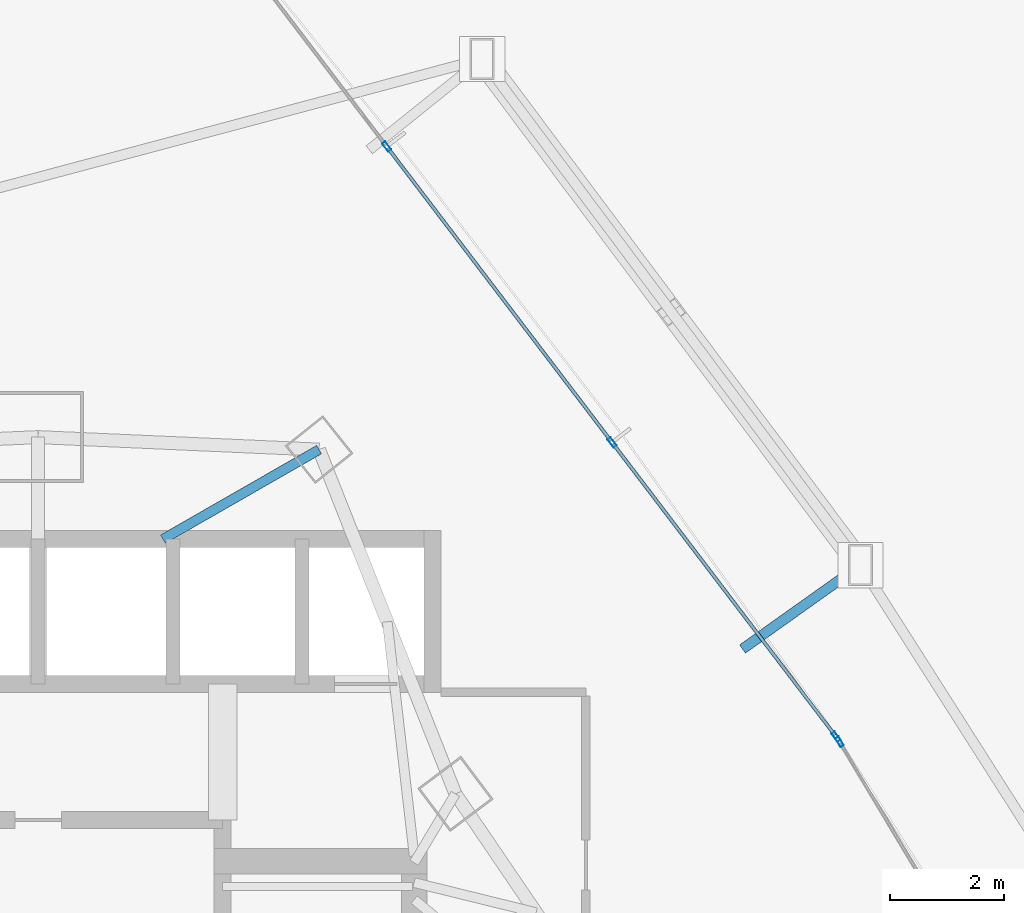
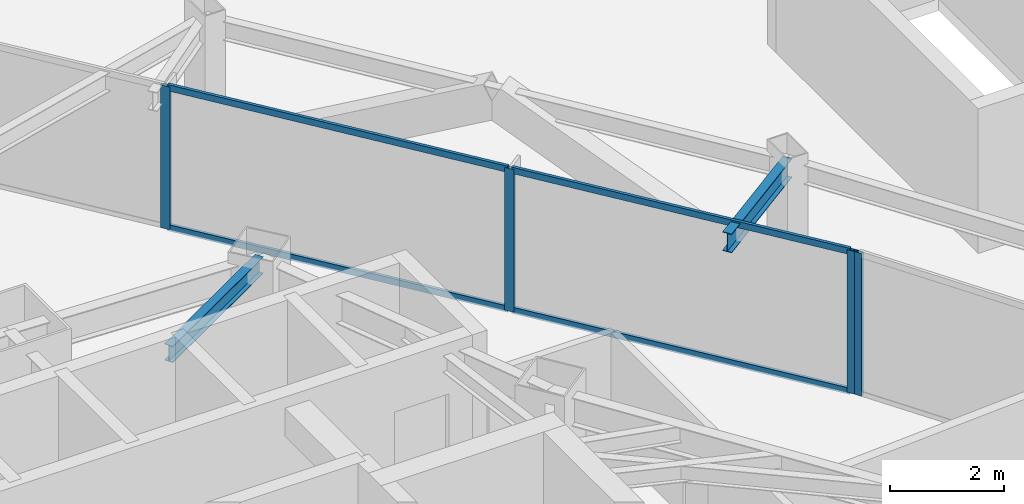
# One storey, part 26 of 36: 8 members, 2 beams, 2 elements without a shape of their own.
"""IFC4 building model written with IfcOpenShell, lengths in metres."""

from ifc_helpers import new_model, si_unit, direction, frame, origin, origin_2d, place, context, subcontext, project, spatial, hollow_rectangle, i_section, extrude, material, layer, layer_set, material_profile, profile_set, type_object, element, aggregate, save


model = new_model("IFC4")

# Units and contexts
model_context = context("Model", 3, precision=1e-05, world=origin(), true_north=direction((0.0, 1.0)))
body_context = subcontext(model_context, "Body", "Model", "MODEL_VIEW")
ifc_project = project(units=[si_unit("LENGTHUNIT", "METRE"), si_unit("AREAUNIT", "SQUARE_METRE"), si_unit("VOLUMEUNIT", "CUBIC_METRE"), si_unit("PLANEANGLEUNIT", "RADIAN"), si_unit("MASSUNIT", "GRAM", prefix="KILO")], contexts=[model_context])

# Site, building, storey
site_placement = place(None, origin())
site = spatial("IfcSite", under=ifc_project, at=site_placement, CompositionType="ELEMENT")
building_placement = place(site_placement, origin())
building = spatial("IfcBuilding", under=site, at=building_placement, Name="Orvanel Arch Residences", CompositionType="ELEMENT")
storey_placement = place(building_placement, frame((0.0, 0.0, 23.60009765625)))
storey = spatial("IfcBuildingStorey", under=building, at=storey_placement, Name="L05", CompositionType="ELEMENT", Elevation=23.60009765625)

# Beam
ifc_material_1 = material(Name="Structural steel AS/NZS 3679.1 Grade 300 (300 MPa)", Category="steel")
ifc_material_profile_1 = material_profile(ifc_material_1, i_section(OverallWidth=0.1708984375, OverallDepth=0.35595703125, WebThickness=0.00732421875, FlangeThickness=0.011474609375, at=origin_2d()), Name="360UB50.7")
ifc_profile_set_1 = profile_set([ifc_material_profile_1], Name="Structural steel AS/NZS 3679.1 Grade 300 (300 MPa)")
beam_type_1 = type_object("IfcBeamType", Name="BJ-360UB", PredefinedType="JOIST", material=ifc_profile_set_1)
beam_1_placement = place(storey_placement, frame((35.199951171875, 39.60009765625, 2.8818359375), z_axis=(0.86736513383, 0.497672306458, 0.0), x_axis=(-0.497672306458, 0.86736513383, 0.0)))
element("IfcBeam", 1, at=beam_1_placement, inside=storey, type_object=beam_type_1, Name="L05 MNE Wing Floor Joist", PredefinedType="JOIST", context=body_context, shape_type="SweptSolid", body=[
    extrude(i_section(OverallWidth=0.1708984375, OverallDepth=0.35595703125, WebThickness=0.00732421875, FlangeThickness=0.011474609375, at=origin_2d()), origin(), (0.0, 0.0, 1.0), 3.17041015625),
])

# Curtain wall, member
ifc_material_2 = material(Name="Bronze-anodised aluminium AA6063-T6", Category="aluminium")
ifc_layer = layer(ifc_material_2, 0.179931640625)
ifc_layer_set = layer_set([ifc_layer], Name="Bronze-anodised aluminium AA6063-T6")
curtain_wall_type = type_object("IfcCurtainWallType", Name="CW2-LOW-SYS", PredefinedType="NOTDEFINED", material=ifc_layer_set)
curtain_wall_1_placement = place(storey_placement, origin())
curtain_wall_1 = element("IfcCurtainWall", 2, at=curtain_wall_1_placement, inside=storey, type_object=curtain_wall_type, Name="L05 CW2-LOW-SYS Unitised Curtain Wall", PredefinedType="NOTDEFINED")
ifc_material_profile_2 = material_profile(ifc_material_2, hollow_rectangle(XDim=0.070068359375, YDim=0.179931640625, WallThickness=0.00439453125, at=origin_2d()), Name="ALU180x70x4.5")
ifc_profile_set_2 = profile_set([ifc_material_profile_2], Name="Bronze-anodised aluminium AA6063-T6")
member_type_1 = type_object("IfcMemberType", Name="MUL-180x70", PredefinedType="MULLION", material=ifc_profile_set_2)
member_1_placement = place(storey_placement, frame((47.12109375, 36.029052734375, 0.0), z_axis=(0.0, 0.0, 1.0), x_axis=(-0.857540386644, -0.514416645603, 0.0)))
member_1 = element("IfcMember", 3, at=member_1_placement, type_object=member_type_1, Name="CW-S2 mullion 3", PredefinedType="MULLION", context=body_context, shape_type="SweptSolid", body=[
    extrude(hollow_rectangle(XDim=0.070068359375, YDim=0.179931640625, WallThickness=0.00439453125, at=origin_2d()), origin(), (0.0, 0.0, 1.0), 3.059814453125),
])
aggregate(curtain_wall_1, [member_1])

# Curtain wall, members
curtain_wall_2_placement = place(storey_placement, origin())
curtain_wall_2 = element("IfcCurtainWall", 4, at=curtain_wall_2_placement, inside=storey, type_object=curtain_wall_type, Name="L05 CW2-LOW-SYS Unitised Curtain Wall", PredefinedType="NOTDEFINED")
member_2_placement = place(storey_placement, frame((47.059814453125, 36.119873046875, 0.0), z_axis=(0.0, 0.0, 1.0), x_axis=(-0.795608016507, -0.605811756299, 0.0)))
member_2 = element("IfcMember", 5, at=member_2_placement, type_object=member_type_1, Name="CW-S2 mullion 1", PredefinedType="MULLION", context=body_context, shape_type="SweptSolid", body=[
    extrude(hollow_rectangle(XDim=0.070068359375, YDim=0.179931640625, WallThickness=0.00439453125, at=origin_2d()), origin(), (0.0, 0.0, 1.0), 3.059814453125),
])
member_3_placement = place(storey_placement, frame((43.111328125, 41.305419921875, 0.0), z_axis=(0.0, 0.0, 1.0), x_axis=(-0.795608016507, -0.605811756299, 0.0)))
member_3 = element("IfcMember", 6, at=member_3_placement, type_object=member_type_1, Name="CW-S2 mullion 2", PredefinedType="MULLION", context=body_context, shape_type="SweptSolid", body=[
    extrude(hollow_rectangle(XDim=0.070068359375, YDim=0.179931640625, WallThickness=0.00439453125, at=origin_2d()), origin(), (0.0, 0.0, 1.0), 3.059814453125),
])
member_4_placement = place(storey_placement, frame((39.1416015625, 46.5185546875, 0.0), z_axis=(0.0, 0.0, 1.0), x_axis=(-0.795608016507, -0.605811756299, 0.0)))
member_4 = element("IfcMember", 7, at=member_4_placement, type_object=member_type_1, Name="CW-S2 mullion 3", PredefinedType="MULLION", context=body_context, shape_type="SweptSolid", body=[
    extrude(hollow_rectangle(XDim=0.070068359375, YDim=0.179931640625, WallThickness=0.00439453125, at=origin_2d()), origin(), (0.0, 0.0, 1.0), 3.059814453125),
])

# Beam
ifc_material_profile_3 = material_profile(ifc_material_1, i_section(OverallWidth=0.177978515625, OverallDepth=0.406005859375, WebThickness=0.0078125, FlangeThickness=0.0126953125, at=origin_2d()), Name="410UB59.7")
ifc_profile_set_3 = profile_set([ifc_material_profile_3], Name="Structural steel AS/NZS 3679.1 Grade 300 (300 MPa)")
beam_type_2 = type_object("IfcBeamType", Name="OB-410UB-EXT", PredefinedType="SPANDREL", material=ifc_profile_set_3)
beam_2_placement = place(storey_placement, frame((45.410888671875, 37.6650390625, 2.85693359375), z_axis=(0.81490910219, 0.579588781092, 0.0), x_axis=(-0.579588781092, 0.81490910219, 0.0)))
element("IfcBeam", 8, at=beam_2_placement, inside=storey, type_object=beam_type_2, Name="L05 Outer Frame Radial Tie Beam 11", PredefinedType="SPANDREL", context=body_context, shape_type="SweptSolid", body=[
    extrude(i_section(OverallWidth=0.177978515625, OverallDepth=0.406005859375, WebThickness=0.0078125, FlangeThickness=0.0126953125, at=origin_2d()), origin(), (0.0, 0.0, 1.0), 2.550048828125),
])

# Member
ifc_material_profile_4 = material_profile(ifc_material_2, hollow_rectangle(XDim=0.06005859375, YDim=0.135009765625, WallThickness=0.00390625, at=origin_2d()), Name="ALU135x60x4")
ifc_profile_set_4 = profile_set([ifc_material_profile_4], Name="Bronze-anodised aluminium AA6063-T6")
member_type_2 = type_object("IfcMemberType", Name="TRN-135x60", PredefinedType="USERDEFINED", material=ifc_profile_set_4)
member_5_placement = place(storey_placement, frame((47.03857421875, 36.147705078125, 0.02978515625), z_axis=(-0.605800188991, 0.795616824243, 0.0), x_axis=(-0.795616824243, -0.605800188991, 0.0)))
member_5 = element("IfcMember", 9, at=member_5_placement, type_object=member_type_2, Name="CW-S2 transom 1.1", ObjectType="TRANSOM", PredefinedType="USERDEFINED", context=body_context, shape_type="SweptSolid", body=[
    extrude(hollow_rectangle(XDim=0.06005859375, YDim=0.135009765625, WallThickness=0.00390625, at=origin_2d()), origin(), (0.0, 0.0, 1.0), 6.44775390625),
])

member_6_placement = place(storey_placement, frame((47.03857421875, 36.147705078125, 3.02978515625), z_axis=(-0.605800188991, 0.795616824243, 0.0), x_axis=(-0.795616824243, -0.605800188991, 0.0)))
member_6 = element("IfcMember", 10, at=member_6_placement, type_object=member_type_2, Name="CW-S2 transom 1.2", ObjectType="TRANSOM", PredefinedType="USERDEFINED", context=body_context, shape_type="SweptSolid", body=[
    extrude(hollow_rectangle(XDim=0.06005859375, YDim=0.135009765625, WallThickness=0.00390625, at=origin_2d()), origin(), (0.0, 0.0, 1.0), 6.44775390625),
])

member_7_placement = place(storey_placement, frame((43.090087890625, 41.333251953125, 0.02978515625), z_axis=(-0.605823058634, 0.795599410273, 0.0), x_axis=(-0.795599410273, -0.605823058634, 0.0)))
member_7 = element("IfcMember", 11, at=member_7_placement, type_object=member_type_2, Name="CW-S2 transom 2.1", ObjectType="TRANSOM", PredefinedType="USERDEFINED", context=body_context, shape_type="SweptSolid", body=[
    extrude(hollow_rectangle(XDim=0.06005859375, YDim=0.135009765625, WallThickness=0.00390625, at=origin_2d()), origin(), (0.0, 0.0, 1.0), 6.482421875),
])

member_8_placement = place(storey_placement, frame((43.090087890625, 41.333251953125, 3.02978515625), z_axis=(-0.605823058634, 0.795599410273, 0.0), x_axis=(-0.795599410273, -0.605823058634, 0.0)))
member_8 = element("IfcMember", 12, at=member_8_placement, type_object=member_type_2, Name="CW-S2 transom 2.2", ObjectType="TRANSOM", PredefinedType="USERDEFINED", context=body_context, shape_type="SweptSolid", body=[
    extrude(hollow_rectangle(XDim=0.06005859375, YDim=0.135009765625, WallThickness=0.00390625, at=origin_2d()), origin(), (0.0, 0.0, 1.0), 6.482421875),
])

aggregate(curtain_wall_2, [member_2, member_3, member_4, member_5, member_6, member_7, member_8])

save(model, "model.ifc")
